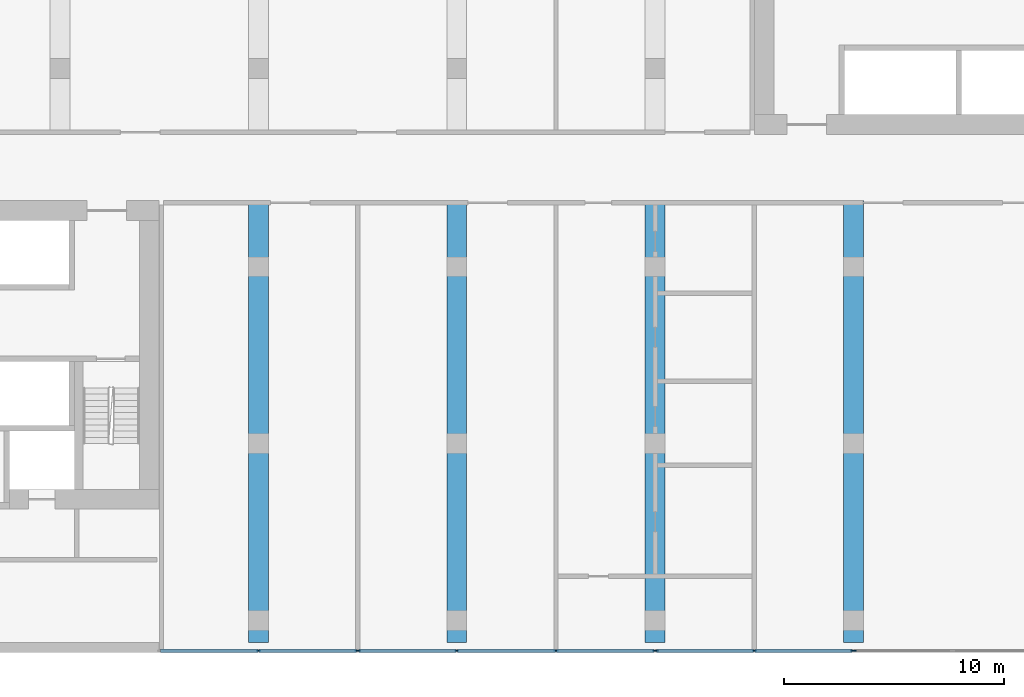
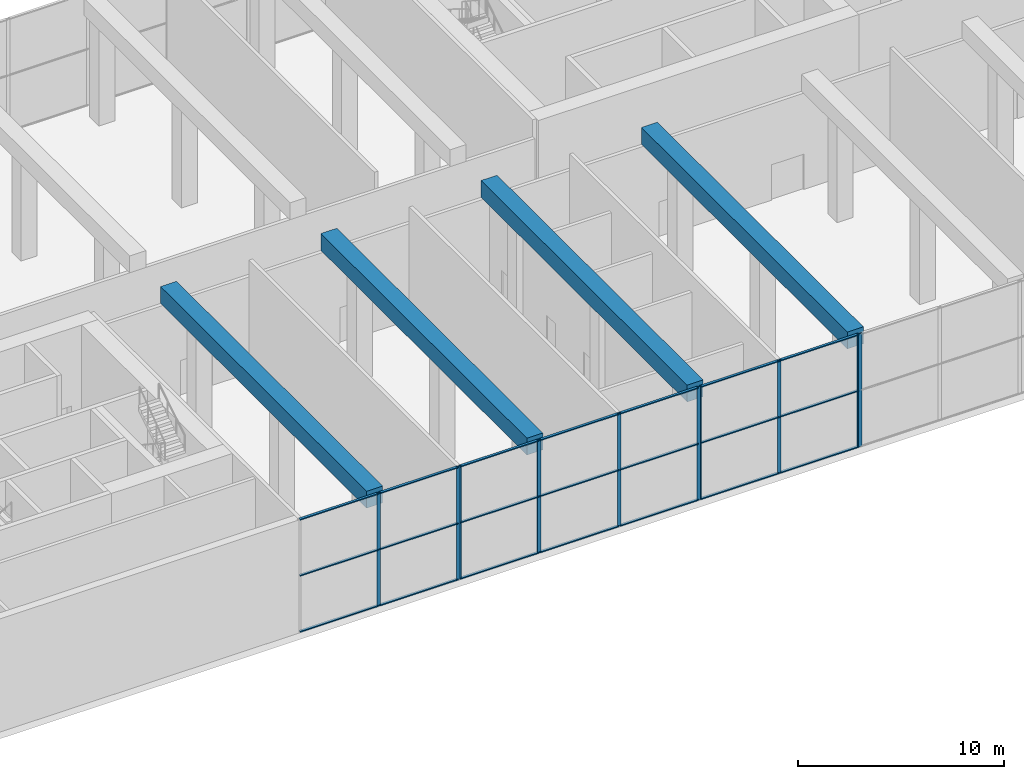
# One storey, part 4 of 23: 31 members, 4 beams, 4 elements without a shape of their own.
"""IFC4 building model written with IfcOpenShell, lengths in metres."""

from ifc_helpers import new_model, si_unit, direction, frame, origin, origin_2d, place, context, subcontext, project, spatial, rectangle, extrude, material, material_profile, profile_set, type_object, element, aggregate, save


model = new_model("IFC4")

# Units and contexts
model_context = context("Model", 3, precision=1e-05, world=origin(), true_north=direction((0.0, 1.0)))
body_context = subcontext(model_context, "Body", "Model", "MODEL_VIEW")
ifc_project = project(units=[si_unit("LENGTHUNIT", "METRE"), si_unit("AREAUNIT", "SQUARE_METRE"), si_unit("VOLUMEUNIT", "CUBIC_METRE"), si_unit("PLANEANGLEUNIT", "RADIAN"), si_unit("MASSUNIT", "GRAM", prefix="KILO")], contexts=[model_context])

# Site, building, storey
site_placement = place(None, origin())
site = spatial("IfcSite", under=ifc_project, at=site_placement, CompositionType="ELEMENT")
building_placement = place(site_placement, origin())
building = spatial("IfcBuilding", under=site, at=building_placement, Name="Kajstack Hotel Tower", CompositionType="ELEMENT")
storey_placement = place(building_placement, frame((0.0, 0.0, 53.0)))
storey = spatial("IfcBuildingStorey", under=building, at=storey_placement, Name="L08", CompositionType="ELEMENT", Elevation=53.0)

# Curtain wall, members
ifc_material_1 = material(Name="Aluminium-framed curtain wall, low-iron insulated glass", Category="aluminium")
curtain_wall_type = type_object("IfcCurtainWallType", Name="CW-GARDEN", PredefinedType="NOTDEFINED", material=ifc_material_1)
curtain_wall_1_placement = place(storey_placement, origin())
curtain_wall_1 = element("IfcCurtainWall", 1, at=curtain_wall_1_placement, inside=storey, type_object=curtain_wall_type, Name="Curtain wall CU6 L08-03-02-0", PredefinedType="NOTDEFINED")
ifc_material_2 = material(Name="Aluminium", Category="aluminium")
ifc_material_profile_1 = material_profile(ifc_material_2, rectangle(XDim=0.06005859375, YDim=0.199951171875, at=origin_2d()), Name="Aluminium mullion 60 x 200")
ifc_profile_set_1 = profile_set([ifc_material_profile_1], Name="Aluminium")
member_type_1 = type_object("IfcMemberType", Name="CW-M-GARDEN", PredefinedType="MULLION", material=ifc_profile_set_1)
member_1_placement = place(storey_placement, frame((-9.0, -21.925048828125, 0.0), z_axis=(0.0, 0.0, 1.0), x_axis=(0.0, 1.0, 0.0)))
member_1 = element("IfcMember", 2, at=member_1_placement, type_object=member_type_1, Name="CU6 mullion 2", PredefinedType="MULLION", context=body_context, shape_type="SweptSolid", body=[
    extrude(rectangle(XDim=0.06005859375, YDim=0.199951171875, at=origin_2d()), origin(), (0.0, 0.0, 1.0), 6.719970703125),
])
member_2_placement = place(storey_placement, frame((-4.530029296875, -21.925048828125, 0.0), z_axis=(0.0, 0.0, 1.0), x_axis=(0.0, 1.0, 0.0)))
member_2 = element("IfcMember", 3, at=member_2_placement, type_object=member_type_1, Name="CU6 mullion 3", PredefinedType="MULLION", context=body_context, shape_type="SweptSolid", body=[
    extrude(rectangle(XDim=0.06005859375, YDim=0.199951171875, at=origin_2d()), origin(), (0.0, 0.0, 1.0), 6.719970703125),
])

curtain_wall_2_placement = place(storey_placement, origin())
curtain_wall_2 = element("IfcCurtainWall", 4, at=curtain_wall_2_placement, inside=storey, type_object=curtain_wall_type, Name="Curtain wall CU6 L08-03-02-1", PredefinedType="NOTDEFINED")
member_3_placement = place(storey_placement, frame((-4.469970703125, -21.925048828125, 0.0), z_axis=(0.0, 0.0, 1.0), x_axis=(0.0, 1.0, 0.0)))
member_3 = element("IfcMember", 5, at=member_3_placement, type_object=member_type_1, Name="CU6 mullion 1", PredefinedType="MULLION", context=body_context, shape_type="SweptSolid", body=[
    extrude(rectangle(XDim=0.06005859375, YDim=0.199951171875, at=origin_2d()), origin(), (0.0, 0.0, 1.0), 6.719970703125),
])
member_4_placement = place(storey_placement, frame((0.0, -21.925048828125, 0.0), z_axis=(0.0, 0.0, 1.0), x_axis=(0.0, 1.0, 0.0)))
member_4 = element("IfcMember", 6, at=member_4_placement, type_object=member_type_1, Name="CU6 mullion 2", PredefinedType="MULLION", context=body_context, shape_type="SweptSolid", body=[
    extrude(rectangle(XDim=0.06005859375, YDim=0.199951171875, at=origin_2d()), origin(), (0.0, 0.0, 1.0), 6.719970703125),
])
member_5_placement = place(storey_placement, frame((4.5, -21.925048828125, 0.0), z_axis=(0.0, 0.0, 1.0), x_axis=(0.0, 1.0, 0.0)))
member_5 = element("IfcMember", 7, at=member_5_placement, type_object=member_type_1, Name="CU6 mullion 3", PredefinedType="MULLION", context=body_context, shape_type="SweptSolid", body=[
    extrude(rectangle(XDim=0.06005859375, YDim=0.199951171875, at=origin_2d()), origin(), (0.0, 0.0, 1.0), 6.719970703125),
])
member_6_placement = place(storey_placement, frame((8.969970703125, -21.925048828125, 0.0), z_axis=(0.0, 0.0, 1.0), x_axis=(0.0, 1.0, 0.0)))
member_6 = element("IfcMember", 8, at=member_6_placement, type_object=member_type_1, Name="CU6 mullion 4", PredefinedType="MULLION", context=body_context, shape_type="SweptSolid", body=[
    extrude(rectangle(XDim=0.06005859375, YDim=0.199951171875, at=origin_2d()), origin(), (0.0, 0.0, 1.0), 6.719970703125),
])

curtain_wall_3_placement = place(storey_placement, origin())
curtain_wall_3 = element("IfcCurtainWall", 9, at=curtain_wall_3_placement, inside=storey, type_object=curtain_wall_type, Name="Curtain wall CU6 L08-03-02-2", PredefinedType="NOTDEFINED")
member_7_placement = place(storey_placement, frame((9.030029296875, -21.925048828125, 0.0), z_axis=(0.0, 0.0, 1.0), x_axis=(0.0, 1.0, 0.0)))
member_7 = element("IfcMember", 10, at=member_7_placement, type_object=member_type_1, Name="CU6 mullion 1", PredefinedType="MULLION", context=body_context, shape_type="SweptSolid", body=[
    extrude(rectangle(XDim=0.06005859375, YDim=0.199951171875, at=origin_2d()), origin(), (0.0, 0.0, 1.0), 6.719970703125),
])
member_8_placement = place(storey_placement, frame((13.5, -21.925048828125, 0.0), z_axis=(0.0, 0.0, 1.0), x_axis=(0.0, 1.0, 0.0)))
member_8 = element("IfcMember", 11, at=member_8_placement, type_object=member_type_1, Name="CU6 mullion 2", PredefinedType="MULLION", context=body_context, shape_type="SweptSolid", body=[
    extrude(rectangle(XDim=0.06005859375, YDim=0.199951171875, at=origin_2d()), origin(), (0.0, 0.0, 1.0), 6.719970703125),
])
member_9_placement = place(storey_placement, frame((17.969970703125, -21.925048828125, 0.0), z_axis=(0.0, 0.0, 1.0), x_axis=(0.0, 1.0, 0.0)))
member_9 = element("IfcMember", 12, at=member_9_placement, type_object=member_type_1, Name="CU6 mullion 3", PredefinedType="MULLION", context=body_context, shape_type="SweptSolid", body=[
    extrude(rectangle(XDim=0.06005859375, YDim=0.199951171875, at=origin_2d()), origin(), (0.0, 0.0, 1.0), 6.719970703125),
])

# Curtain wall, member
curtain_wall_4_placement = place(storey_placement, origin())
curtain_wall_4 = element("IfcCurtainWall", 13, at=curtain_wall_4_placement, inside=storey, type_object=curtain_wall_type, Name="Curtain wall CU6 L08-03-02-3", PredefinedType="NOTDEFINED")
member_10_placement = place(storey_placement, frame((18.030029296875, -21.925048828125, 0.0), z_axis=(0.0, 0.0, 1.0), x_axis=(0.0, 1.0, 0.0)))
member_10 = element("IfcMember", 14, at=member_10_placement, type_object=member_type_1, Name="CU6 mullion 1", PredefinedType="MULLION", context=body_context, shape_type="SweptSolid", body=[
    extrude(rectangle(XDim=0.06005859375, YDim=0.199951171875, at=origin_2d()), origin(), (0.0, 0.0, 1.0), 6.719970703125),
])
aggregate(curtain_wall_4, [member_10])

# Member
ifc_material_profile_2 = material_profile(ifc_material_2, rectangle(XDim=0.139892578125, YDim=0.06005859375, at=origin_2d()), Name="Aluminium transom 140 x 60")
ifc_profile_set_2 = profile_set([ifc_material_profile_2], Name="Aluminium")
member_type_2 = type_object("IfcMemberType", Name="CW-T-GARDEN", PredefinedType="USERDEFINED", material=ifc_profile_set_2)
member_11_placement = place(storey_placement, frame((-13.43994140625, -21.925048828125, 0.030029296875), z_axis=(1.0, 0.0, 0.0), x_axis=(0.0, 1.0, 0.0)))
member_11 = element("IfcMember", 15, at=member_11_placement, type_object=member_type_2, Name="CU6 transom 1.1", ObjectType="TRANSOM", PredefinedType="USERDEFINED", context=body_context, shape_type="SweptSolid", body=[
    extrude(rectangle(XDim=0.139892578125, YDim=0.06005859375, at=origin_2d()), origin(), (0.0, 0.0, 1.0), 4.409912109375),
])

member_12_placement = place(storey_placement, frame((-13.43994140625, -21.925048828125, 3.360107421875), z_axis=(1.0, 0.0, 0.0), x_axis=(0.0, 1.0, 0.0)))
member_12 = element("IfcMember", 16, at=member_12_placement, type_object=member_type_2, Name="CU6 transom 1.2", ObjectType="TRANSOM", PredefinedType="USERDEFINED", context=body_context, shape_type="SweptSolid", body=[
    extrude(rectangle(XDim=0.139892578125, YDim=0.06005859375, at=origin_2d()), origin(), (0.0, 0.0, 1.0), 4.409912109375),
])

member_13_placement = place(storey_placement, frame((-13.43994140625, -21.925048828125, 6.68994140625), z_axis=(1.0, 0.0, 0.0), x_axis=(0.0, 1.0, 0.0)))
member_13 = element("IfcMember", 17, at=member_13_placement, type_object=member_type_2, Name="CU6 transom 1.3", ObjectType="TRANSOM", PredefinedType="USERDEFINED", context=body_context, shape_type="SweptSolid", body=[
    extrude(rectangle(XDim=0.139892578125, YDim=0.06005859375, at=origin_2d()), origin(), (0.0, 0.0, 1.0), 4.409912109375),
])

member_14_placement = place(storey_placement, frame((-8.969970703125, -21.925048828125, 0.030029296875), z_axis=(1.0, 0.0, 0.0), x_axis=(0.0, 1.0, 0.0)))
member_14 = element("IfcMember", 18, at=member_14_placement, type_object=member_type_2, Name="CU6 transom 2.1", ObjectType="TRANSOM", PredefinedType="USERDEFINED", context=body_context, shape_type="SweptSolid", body=[
    extrude(rectangle(XDim=0.139892578125, YDim=0.06005859375, at=origin_2d()), origin(), (0.0, 0.0, 1.0), 4.409912109375),
])

member_15_placement = place(storey_placement, frame((-8.969970703125, -21.925048828125, 3.360107421875), z_axis=(1.0, 0.0, 0.0), x_axis=(0.0, 1.0, 0.0)))
member_15 = element("IfcMember", 19, at=member_15_placement, type_object=member_type_2, Name="CU6 transom 2.2", ObjectType="TRANSOM", PredefinedType="USERDEFINED", context=body_context, shape_type="SweptSolid", body=[
    extrude(rectangle(XDim=0.139892578125, YDim=0.06005859375, at=origin_2d()), origin(), (0.0, 0.0, 1.0), 4.409912109375),
])

member_16_placement = place(storey_placement, frame((-8.969970703125, -21.925048828125, 6.68994140625), z_axis=(1.0, 0.0, 0.0), x_axis=(0.0, 1.0, 0.0)))
member_16 = element("IfcMember", 20, at=member_16_placement, type_object=member_type_2, Name="CU6 transom 2.3", ObjectType="TRANSOM", PredefinedType="USERDEFINED", context=body_context, shape_type="SweptSolid", body=[
    extrude(rectangle(XDim=0.139892578125, YDim=0.06005859375, at=origin_2d()), origin(), (0.0, 0.0, 1.0), 4.409912109375),
])

aggregate(curtain_wall_1, [member_1, member_2, member_11, member_12, member_13, member_14, member_15, member_16])

member_17_placement = place(storey_placement, frame((-4.43994140625, -21.925048828125, 0.030029296875), z_axis=(1.0, 0.0, 0.0), x_axis=(0.0, 1.0, 0.0)))
member_17 = element("IfcMember", 21, at=member_17_placement, type_object=member_type_2, Name="CU6 transom 1.1", ObjectType="TRANSOM", PredefinedType="USERDEFINED", context=body_context, shape_type="SweptSolid", body=[
    extrude(rectangle(XDim=0.139892578125, YDim=0.06005859375, at=origin_2d()), origin(), (0.0, 0.0, 1.0), 4.409912109375),
])

member_18_placement = place(storey_placement, frame((-4.43994140625, -21.925048828125, 3.360107421875), z_axis=(1.0, 0.0, 0.0), x_axis=(0.0, 1.0, 0.0)))
member_18 = element("IfcMember", 22, at=member_18_placement, type_object=member_type_2, Name="CU6 transom 1.2", ObjectType="TRANSOM", PredefinedType="USERDEFINED", context=body_context, shape_type="SweptSolid", body=[
    extrude(rectangle(XDim=0.139892578125, YDim=0.06005859375, at=origin_2d()), origin(), (0.0, 0.0, 1.0), 4.409912109375),
])

member_19_placement = place(storey_placement, frame((-4.43994140625, -21.925048828125, 6.68994140625), z_axis=(1.0, 0.0, 0.0), x_axis=(0.0, 1.0, 0.0)))
member_19 = element("IfcMember", 23, at=member_19_placement, type_object=member_type_2, Name="CU6 transom 1.3", ObjectType="TRANSOM", PredefinedType="USERDEFINED", context=body_context, shape_type="SweptSolid", body=[
    extrude(rectangle(XDim=0.139892578125, YDim=0.06005859375, at=origin_2d()), origin(), (0.0, 0.0, 1.0), 4.409912109375),
])

member_20_placement = place(storey_placement, frame((0.030029296875, -21.925048828125, 0.030029296875), z_axis=(1.0, 0.0, 0.0), x_axis=(0.0, 1.0, 0.0)))
member_20 = element("IfcMember", 24, at=member_20_placement, type_object=member_type_2, Name="CU6 transom 2.1", ObjectType="TRANSOM", PredefinedType="USERDEFINED", context=body_context, shape_type="SweptSolid", body=[
    extrude(rectangle(XDim=0.139892578125, YDim=0.06005859375, at=origin_2d()), origin(), (0.0, 0.0, 1.0), 4.43994140625),
])

member_21_placement = place(storey_placement, frame((0.030029296875, -21.925048828125, 3.360107421875), z_axis=(1.0, 0.0, 0.0), x_axis=(0.0, 1.0, 0.0)))
member_21 = element("IfcMember", 25, at=member_21_placement, type_object=member_type_2, Name="CU6 transom 2.2", ObjectType="TRANSOM", PredefinedType="USERDEFINED", context=body_context, shape_type="SweptSolid", body=[
    extrude(rectangle(XDim=0.139892578125, YDim=0.06005859375, at=origin_2d()), origin(), (0.0, 0.0, 1.0), 4.43994140625),
])

member_22_placement = place(storey_placement, frame((0.030029296875, -21.925048828125, 6.68994140625), z_axis=(1.0, 0.0, 0.0), x_axis=(0.0, 1.0, 0.0)))
member_22 = element("IfcMember", 26, at=member_22_placement, type_object=member_type_2, Name="CU6 transom 2.3", ObjectType="TRANSOM", PredefinedType="USERDEFINED", context=body_context, shape_type="SweptSolid", body=[
    extrude(rectangle(XDim=0.139892578125, YDim=0.06005859375, at=origin_2d()), origin(), (0.0, 0.0, 1.0), 4.43994140625),
])

member_23_placement = place(storey_placement, frame((4.530029296875, -21.925048828125, 0.030029296875), z_axis=(1.0, 0.0, 0.0), x_axis=(0.0, 1.0, 0.0)))
member_23 = element("IfcMember", 27, at=member_23_placement, type_object=member_type_2, Name="CU6 transom 3.1", ObjectType="TRANSOM", PredefinedType="USERDEFINED", context=body_context, shape_type="SweptSolid", body=[
    extrude(rectangle(XDim=0.139892578125, YDim=0.06005859375, at=origin_2d()), origin(), (0.0, 0.0, 1.0), 4.409912109375),
])

member_24_placement = place(storey_placement, frame((4.530029296875, -21.925048828125, 3.360107421875), z_axis=(1.0, 0.0, 0.0), x_axis=(0.0, 1.0, 0.0)))
member_24 = element("IfcMember", 28, at=member_24_placement, type_object=member_type_2, Name="CU6 transom 3.2", ObjectType="TRANSOM", PredefinedType="USERDEFINED", context=body_context, shape_type="SweptSolid", body=[
    extrude(rectangle(XDim=0.139892578125, YDim=0.06005859375, at=origin_2d()), origin(), (0.0, 0.0, 1.0), 4.409912109375),
])

member_25_placement = place(storey_placement, frame((4.530029296875, -21.925048828125, 6.68994140625), z_axis=(1.0, 0.0, 0.0), x_axis=(0.0, 1.0, 0.0)))
member_25 = element("IfcMember", 29, at=member_25_placement, type_object=member_type_2, Name="CU6 transom 3.3", ObjectType="TRANSOM", PredefinedType="USERDEFINED", context=body_context, shape_type="SweptSolid", body=[
    extrude(rectangle(XDim=0.139892578125, YDim=0.06005859375, at=origin_2d()), origin(), (0.0, 0.0, 1.0), 4.409912109375),
])

aggregate(curtain_wall_2, [member_3, member_4, member_5, member_6, member_17, member_18, member_19, member_20, member_21, member_22, member_23, member_24, member_25])

member_26_placement = place(storey_placement, frame((9.06005859375, -21.925048828125, 0.030029296875), z_axis=(1.0, 0.0, 0.0), x_axis=(0.0, 1.0, 0.0)))
member_26 = element("IfcMember", 30, at=member_26_placement, type_object=member_type_2, Name="CU6 transom 1.1", ObjectType="TRANSOM", PredefinedType="USERDEFINED", context=body_context, shape_type="SweptSolid", body=[
    extrude(rectangle(XDim=0.139892578125, YDim=0.06005859375, at=origin_2d()), origin(), (0.0, 0.0, 1.0), 4.409912109375),
])

member_27_placement = place(storey_placement, frame((9.06005859375, -21.925048828125, 3.360107421875), z_axis=(1.0, 0.0, 0.0), x_axis=(0.0, 1.0, 0.0)))
member_27 = element("IfcMember", 31, at=member_27_placement, type_object=member_type_2, Name="CU6 transom 1.2", ObjectType="TRANSOM", PredefinedType="USERDEFINED", context=body_context, shape_type="SweptSolid", body=[
    extrude(rectangle(XDim=0.139892578125, YDim=0.06005859375, at=origin_2d()), origin(), (0.0, 0.0, 1.0), 4.409912109375),
])

member_28_placement = place(storey_placement, frame((9.06005859375, -21.925048828125, 6.68994140625), z_axis=(1.0, 0.0, 0.0), x_axis=(0.0, 1.0, 0.0)))
member_28 = element("IfcMember", 32, at=member_28_placement, type_object=member_type_2, Name="CU6 transom 1.3", ObjectType="TRANSOM", PredefinedType="USERDEFINED", context=body_context, shape_type="SweptSolid", body=[
    extrude(rectangle(XDim=0.139892578125, YDim=0.06005859375, at=origin_2d()), origin(), (0.0, 0.0, 1.0), 4.409912109375),
])

member_29_placement = place(storey_placement, frame((13.530029296875, -21.925048828125, 0.030029296875), z_axis=(1.0, 0.0, 0.0), x_axis=(0.0, 1.0, 0.0)))
member_29 = element("IfcMember", 33, at=member_29_placement, type_object=member_type_2, Name="CU6 transom 2.1", ObjectType="TRANSOM", PredefinedType="USERDEFINED", context=body_context, shape_type="SweptSolid", body=[
    extrude(rectangle(XDim=0.139892578125, YDim=0.06005859375, at=origin_2d()), origin(), (0.0, 0.0, 1.0), 4.409912109375),
])

member_30_placement = place(storey_placement, frame((13.530029296875, -21.925048828125, 3.360107421875), z_axis=(1.0, 0.0, 0.0), x_axis=(0.0, 1.0, 0.0)))
member_30 = element("IfcMember", 34, at=member_30_placement, type_object=member_type_2, Name="CU6 transom 2.2", ObjectType="TRANSOM", PredefinedType="USERDEFINED", context=body_context, shape_type="SweptSolid", body=[
    extrude(rectangle(XDim=0.139892578125, YDim=0.06005859375, at=origin_2d()), origin(), (0.0, 0.0, 1.0), 4.409912109375),
])

member_31_placement = place(storey_placement, frame((13.530029296875, -21.925048828125, 6.68994140625), z_axis=(1.0, 0.0, 0.0), x_axis=(0.0, 1.0, 0.0)))
member_31 = element("IfcMember", 35, at=member_31_placement, type_object=member_type_2, Name="CU6 transom 2.3", ObjectType="TRANSOM", PredefinedType="USERDEFINED", context=body_context, shape_type="SweptSolid", body=[
    extrude(rectangle(XDim=0.139892578125, YDim=0.06005859375, at=origin_2d()), origin(), (0.0, 0.0, 1.0), 4.409912109375),
])

aggregate(curtain_wall_3, [member_7, member_8, member_9, member_26, member_27, member_28, member_29, member_30, member_31])

# Beams
ifc_material_3 = material(Name="Concrete C60/75", Category="concrete")
ifc_material_profile_3 = material_profile(ifc_material_3, rectangle(XDim=0.89990234375, YDim=1.0, at=origin_2d()), Name="RC 900x1000")
ifc_profile_set_3 = profile_set([ifc_material_profile_3], Name="Concrete C60/75")
beam_type = type_object("IfcBeamType", Name="TG1 RC 900x1000 C60/75", PredefinedType="BEAM", material=ifc_profile_set_3)
for number, where, z_axis, x_axis, name in (
    (36, (-9.0, -21.550048828125, 6.219970703125), (0.0, 1.0, 0.0), (-1.0, 0.0, 0.0), "S-girder-L08--9p0-1"),
    (37, (0.0, -21.550048828125, 6.219970703125), (0.0, 1.0, 0.0), (-1.0, 0.0, 0.0), "S-girder-L08-+0p0-1"),
    (38, (9.0, -21.550048828125, 6.219970703125), (0.0, 1.0, 0.0), (-1.0, 0.0, 0.0), "S-girder-L08-+9p0-1"),
    (39, (18.0, -21.550048828125, 6.219970703125), (0.0, 1.0, 0.0), (-1.0, 0.0, 0.0), "S-girder-L08-+18p0-1"),
):
    element("IfcBeam", number, at=place(storey_placement, frame(where, z_axis=z_axis, x_axis=x_axis)), inside=storey, type_object=beam_type, Name=name, PredefinedType="BEAM", context=body_context, shape_type="SweptSolid", body=[
        extrude(rectangle(XDim=0.89990234375, YDim=1.0, at=origin_2d()), origin(), (0.0, 0.0, 1.0), 20.050048828125),
    ])

save(model, "model.ifc")
